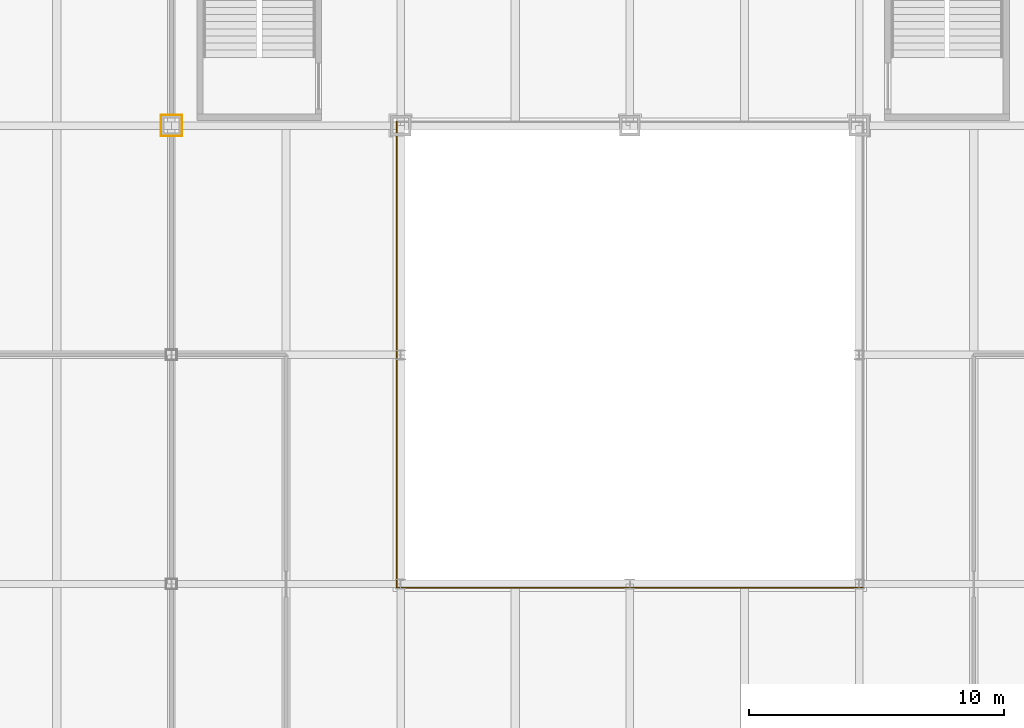
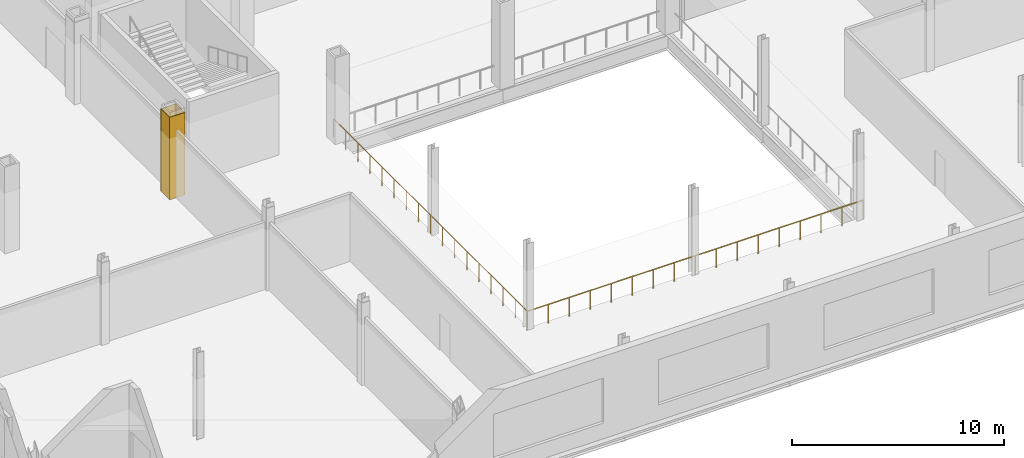
# One storey, part 20 of 31: 4 coverings, 2 railings.
"""IFC4 building model written with IfcOpenShell, lengths in metres."""

from ifc_helpers import new_model, si_unit, direction, frame, origin, origin_2d, place, context, subcontext, project, spatial, rectangle, circle, extrude, material, layer, layer_set, type_object, element, save


model = new_model("IFC4")

# Units and contexts
model_context = context("Model", 3, precision=1e-05, world=origin(), true_north=direction((0.0, 1.0)))
body_context = subcontext(model_context, "Body", "Model", "MODEL_VIEW")
ifc_project = project(units=[si_unit("LENGTHUNIT", "METRE"), si_unit("AREAUNIT", "SQUARE_METRE"), si_unit("VOLUMEUNIT", "CUBIC_METRE"), si_unit("PLANEANGLEUNIT", "RADIAN"), si_unit("MASSUNIT", "GRAM", prefix="KILO")], contexts=[model_context])

# Site, building, storey
site_placement = place(None, origin())
site = spatial("IfcSite", under=ifc_project, at=site_placement, CompositionType="ELEMENT")
building_placement = place(site_placement, origin())
building = spatial("IfcBuilding", under=site, at=building_placement, Name="Loomwork Tower", CompositionType="ELEMENT")
storey_placement = place(building_placement, frame((0.0, 0.0, 11.0)))
storey = spatial("IfcBuildingStorey", under=building, at=storey_placement, Name="L02", CompositionType="ELEMENT", Elevation=11.0)

# Coverings
ifc_material_1 = material(Name="Two-hour fire-rated gypsum board casing")
ifc_layer = layer(ifc_material_1, 0.02490234375)
ifc_layer_set = layer_set([ifc_layer], Name="Column fire casing 25")
covering_type = type_object("IfcCoveringType", Name="Column fire casing 25", PredefinedType="CLADDING", material=ifc_layer_set)
for number, where, z_axis, x_axis, name in (
    (1, (9.0, 0.41259765625, 0.0), (0.0, 0.0, 1.0), (1.0, 0.0, 0.0), "Column casing 9 0 L02"),
    (2, (9.0, -0.41259765625, 0.0), (0.0, 0.0, 1.0), (1.0, 0.0, 0.0), "Column casing 9 0 L02"),
):
    element("IfcCovering", number, at=place(storey_placement, frame(where, z_axis=z_axis, x_axis=x_axis)), inside=storey, type_object=covering_type, Name=name, PredefinedType="CLADDING", context=body_context, shape_type="SweptSolid", body=[
        extrude(rectangle(XDim=0.85009765625, YDim=0.02490234375, at=origin_2d()), origin(), (0.0, 0.0, 1.0), 4.75),
    ])
for number, where, z_axis, x_axis, name in (
    (3, (9.41259765625, 0.0, 0.0), (0.0, 0.0, 1.0), (1.0, 0.0, 0.0), "Column casing 9 0 L02"),
    (4, (8.58740234375, 0.0, 0.0), (0.0, 0.0, 1.0), (1.0, 0.0, 0.0), "Column casing 9 0 L02"),
):
    element("IfcCovering", number, at=place(storey_placement, frame(where, z_axis=z_axis, x_axis=x_axis)), inside=storey, type_object=covering_type, Name=name, PredefinedType="CLADDING", context=body_context, shape_type="SweptSolid", body=[
        extrude(rectangle(XDim=0.02490234375, YDim=0.800048828125, at=origin_2d()), origin(), (0.0, 0.0, 1.0), 4.75),
    ])

# Railings
ifc_material_2 = material(Name="Stainless steel and laminated glass guard", Category="steel")
railing_type = type_object("IfcRailingType", Name="Guard 1100", PredefinedType="GUARDRAIL", material=ifc_material_2)
railing_1_placement = place(storey_placement, frame((17.85009765625, -18.14990234375, 0.0)))
element("IfcRailing", 5, at=railing_1_placement, inside=storey, type_object=railing_type, Name="Atrium guard S L02", PredefinedType="GUARDRAIL", context=body_context, shape_type="SweptSolid", body=[
    extrude(circle(Radius=0.02392578125, at=origin_2d()), frame((0.0, 0.0, 1.076171875), z_axis=(1.0, 0.0, 0.0), x_axis=(0.0, 1.0, 0.0)), (0.0, 0.0, 1.0), 18.2998046875),
    extrude(circle(Radius=0.02099609375, at=origin_2d()), origin(), (0.0, 0.0, 1.0), 1.052001953125),
    extrude(circle(Radius=0.02099609375, at=origin_2d()), frame((1.143798828125, 0.0, 0.0)), (0.0, 0.0, 1.0), 1.052001953125),
    extrude(circle(Radius=0.02099609375, at=origin_2d()), frame((2.28759765625, 0.0, 0.0)), (0.0, 0.0, 1.0), 1.052001953125),
    extrude(circle(Radius=0.02099609375, at=origin_2d()), frame((3.43115234375, 0.0, 0.0)), (0.0, 0.0, 1.0), 1.052001953125),
    extrude(circle(Radius=0.02099609375, at=origin_2d()), frame((4.574951171875, 0.0, 0.0)), (0.0, 0.0, 1.0), 1.052001953125),
    extrude(circle(Radius=0.02099609375, at=origin_2d()), frame((5.71875, 0.0, 0.0)), (0.0, 0.0, 1.0), 1.052001953125),
    extrude(circle(Radius=0.02099609375, at=origin_2d()), frame((6.8623046875, 0.0, 0.0)), (0.0, 0.0, 1.0), 1.052001953125),
    extrude(circle(Radius=0.02099609375, at=origin_2d()), frame((8.006103515625, 0.0, 0.0)), (0.0, 0.0, 1.0), 1.052001953125),
    extrude(circle(Radius=0.02099609375, at=origin_2d()), frame((9.14990234375, 0.0, 0.0)), (0.0, 0.0, 1.0), 1.052001953125),
    extrude(circle(Radius=0.02099609375, at=origin_2d()), frame((10.293701171875, 0.0, 0.0)), (0.0, 0.0, 1.0), 1.052001953125),
    extrude(circle(Radius=0.02099609375, at=origin_2d()), frame((11.4375, 0.0, 0.0)), (0.0, 0.0, 1.0), 1.052001953125),
    extrude(circle(Radius=0.02099609375, at=origin_2d()), frame((12.5810546875, 0.0, 0.0)), (0.0, 0.0, 1.0), 1.052001953125),
    extrude(circle(Radius=0.02099609375, at=origin_2d()), frame((13.724853515625, 0.0, 0.0)), (0.0, 0.0, 1.0), 1.052001953125),
    extrude(circle(Radius=0.02099609375, at=origin_2d()), frame((14.86865234375, 0.0, 0.0)), (0.0, 0.0, 1.0), 1.052001953125),
    extrude(circle(Radius=0.02099609375, at=origin_2d()), frame((16.01220703125, 0.0, 0.0)), (0.0, 0.0, 1.0), 1.052001953125),
    extrude(circle(Radius=0.02099609375, at=origin_2d()), frame((17.156005859375, 0.0, 0.0)), (0.0, 0.0, 1.0), 1.052001953125),
    extrude(circle(Radius=0.02099609375, at=origin_2d()), frame((18.2998046875, 0.0, 0.0)), (0.0, 0.0, 1.0), 1.052001953125),
])
railing_2_placement = place(storey_placement, frame((17.85009765625, 0.14990234375, 0.0)))
element("IfcRailing", 6, at=railing_2_placement, inside=storey, type_object=railing_type, Name="Atrium guard W L02", PredefinedType="GUARDRAIL", context=body_context, shape_type="SweptSolid", body=[
    extrude(circle(Radius=0.02392578125, at=origin_2d()), frame((0.0, 0.0, 1.076171875), z_axis=(0.0, -1.0, 0.0), x_axis=(1.0, 0.0, 0.0)), (0.0, 0.0, 1.0), 18.2998046875),
    extrude(circle(Radius=0.02099609375, at=origin_2d()), origin(), (0.0, 0.0, 1.0), 1.052001953125),
    extrude(circle(Radius=0.02099609375, at=origin_2d()), frame((0.0, -1.143798828125, 0.0)), (0.0, 0.0, 1.0), 1.052001953125),
    extrude(circle(Radius=0.02099609375, at=origin_2d()), frame((0.0, -2.28759765625, 0.0)), (0.0, 0.0, 1.0), 1.052001953125),
    extrude(circle(Radius=0.02099609375, at=origin_2d()), frame((0.0, -3.43115234375, 0.0)), (0.0, 0.0, 1.0), 1.052001953125),
    extrude(circle(Radius=0.02099609375, at=origin_2d()), frame((0.0, -4.574951171875, 0.0)), (0.0, 0.0, 1.0), 1.052001953125),
    extrude(circle(Radius=0.02099609375, at=origin_2d()), frame((0.0, -5.71875, 0.0)), (0.0, 0.0, 1.0), 1.052001953125),
    extrude(circle(Radius=0.02099609375, at=origin_2d()), frame((0.0, -6.8623046875, 0.0)), (0.0, 0.0, 1.0), 1.052001953125),
    extrude(circle(Radius=0.02099609375, at=origin_2d()), frame((0.0, -8.006103515625, 0.0)), (0.0, 0.0, 1.0), 1.052001953125),
    extrude(circle(Radius=0.02099609375, at=origin_2d()), frame((0.0, -9.14990234375, 0.0)), (0.0, 0.0, 1.0), 1.052001953125),
    extrude(circle(Radius=0.02099609375, at=origin_2d()), frame((0.0, -10.293701171875, 0.0)), (0.0, 0.0, 1.0), 1.052001953125),
    extrude(circle(Radius=0.02099609375, at=origin_2d()), frame((0.0, -11.4375, 0.0)), (0.0, 0.0, 1.0), 1.052001953125),
    extrude(circle(Radius=0.02099609375, at=origin_2d()), frame((0.0, -12.5810546875, 0.0)), (0.0, 0.0, 1.0), 1.052001953125),
    extrude(circle(Radius=0.02099609375, at=origin_2d()), frame((0.0, -13.724853515625, 0.0)), (0.0, 0.0, 1.0), 1.052001953125),
    extrude(circle(Radius=0.02099609375, at=origin_2d()), frame((0.0, -14.86865234375, 0.0)), (0.0, 0.0, 1.0), 1.052001953125),
    extrude(circle(Radius=0.02099609375, at=origin_2d()), frame((0.0, -16.01220703125, 0.0)), (0.0, 0.0, 1.0), 1.052001953125),
    extrude(circle(Radius=0.02099609375, at=origin_2d()), frame((0.0, -17.156005859375, 0.0)), (0.0, 0.0, 1.0), 1.052001953125),
    extrude(circle(Radius=0.02099609375, at=origin_2d()), frame((0.0, -18.2998046875, 0.0)), (0.0, 0.0, 1.0), 1.052001953125),
])

save(model, "model.ifc")
